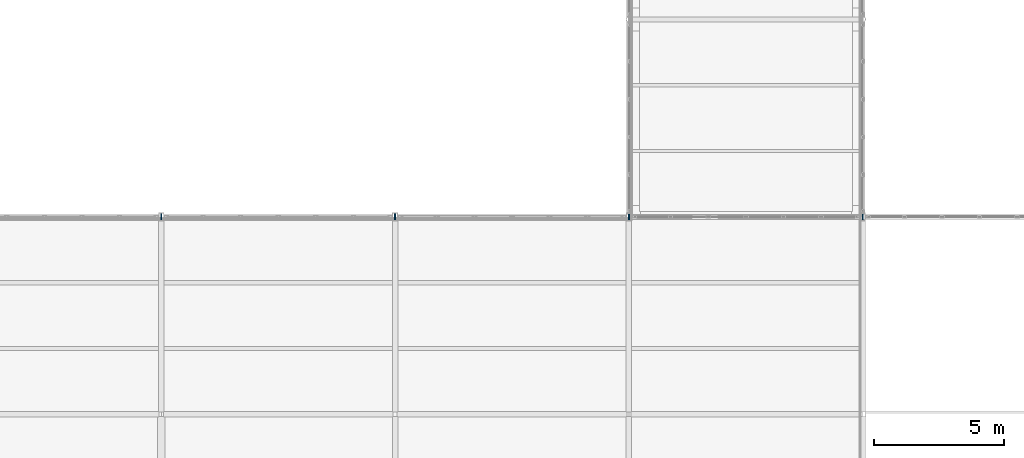
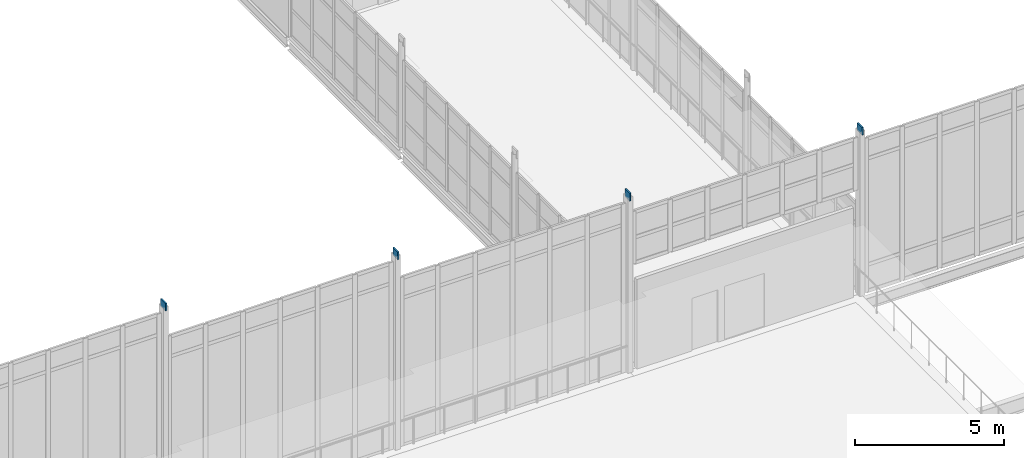
# One storey, part 142 of 166: 4 plates.
"""IFC4 building model written with IfcOpenShell, lengths in metres."""

import ifcopenshell
import ifcopenshell.guid

model = None  # the IFC model being written
_history = None  # IfcOwnerHistory: only IFC2X3 demands one
_inside = {}  # id of a spatial element -> (the spatial element, [elements in it])
_under = {}  # id of a project, library or spatial element -> (it, [spatial elements below it])
_declared = {}  # id of a project -> (the project, [libraries it declares])
_typed = {}  # id of a type object -> (the type object, [elements of that type])
_made_of = {}  # id of a material, layer set ... -> (it, [elements and type objects made of it])


def new_model(schema):
    """Start an empty IFC model of exactly this schema.

    Asked for "IFC4X3", IfcOpenShell would pick the latest addendum, in which some entities
    have other attributes; the version numbers below select the first issue.
    IFC2X3 requires an IfcOwnerHistory on every rooted entity: one is made here for all.
    """
    global model, _history
    if schema == "IFC4X3":
        model = ifcopenshell.file(schema_version=(4, 3, 0, 0))
    else:
        model = ifcopenshell.file(schema=schema)
    _inside.clear()
    _under.clear()
    _declared.clear()
    _typed.clear()
    _made_of.clear()
    _history = None
    if model.schema == "IFC2X3":
        org = make("IfcOrganization", Name="unknown")
        user = make(
            "IfcPersonAndOrganization",
            ThePerson=make("IfcPerson", FamilyName="unknown"),
            TheOrganization=org,
        )
        app = make(
            "IfcApplication",
            ApplicationDeveloper=org,
            Version="unknown",
            ApplicationFullName="unknown",
            ApplicationIdentifier="unknown",
        )
        _history = make(
            "IfcOwnerHistory",
            OwningUser=user,
            OwningApplication=app,
            ChangeAction="ADDED",
            CreationDate=0,
        )
    return model


def make(cls, **values):
    """One entity of the class cls with the attributes given. An attribute that is None is left unset."""
    return model.create_entity(
        cls, **{name: value for name, value in values.items() if value is not None}
    )


def rooted(cls, **values):
    """An entity with a GlobalId (a new one), such as an element, a storey or a relation."""
    return make(cls, GlobalId=ifcopenshell.guid.new(), OwnerHistory=_history, **values)


def si_unit(unit_type, name, prefix=None):
    """IfcSIUnit, for example si_unit("LENGTHUNIT", "METRE", prefix="MILLI")."""
    return make("IfcSIUnit", UnitType=unit_type, Prefix=prefix, Name=name)


def assignment(units):
    """IfcUnitAssignment: the units of a project."""
    return None if units is None else make("IfcUnitAssignment", Units=units)


def point(xyz):
    """IfcCartesianPoint."""
    return None if xyz is None else make("IfcCartesianPoint", Coordinates=xyz)


def direction(xyz):
    """IfcDirection."""
    return None if xyz is None else make("IfcDirection", DirectionRatios=xyz)


def frame(location, z_axis=None, x_axis=None):
    """IfcAxis2Placement3D, a coordinate frame: its origin and axes. An axis left out is left unset."""
    return make(
        "IfcAxis2Placement3D",
        Location=point(location),
        Axis=direction(z_axis),
        RefDirection=direction(x_axis),
    )


def frame_2d(location, x_axis=None):
    """IfcAxis2Placement2D, a coordinate frame in the plane: its origin and x axis."""
    return make(
        "IfcAxis2Placement2D", Location=point(location), RefDirection=direction(x_axis)
    )


def origin():
    """The frame at (0, 0, 0) with its axes left unset."""
    return frame((0.0, 0.0, 0.0))


def origin_2d():
    """The frame at (0, 0) in the plane with its x axis left unset."""
    return frame_2d((0.0, 0.0))


def place(relative_to, where):
    """IfcLocalPlacement: puts the frame where relative to a parent placement (None: the world)."""
    return make(
        "IfcLocalPlacement", PlacementRelTo=relative_to, RelativePlacement=where
    )


def context(
    kind, dimensions, precision=None, world=None, true_north=None, identifier=None
):
    """IfcGeometricRepresentationContext, for example the 3D "Model" context."""
    return make(
        "IfcGeometricRepresentationContext",
        ContextIdentifier=identifier,
        ContextType=kind,
        CoordinateSpaceDimension=dimensions,
        Precision=precision,
        WorldCoordinateSystem=world,
        TrueNorth=true_north,
    )


def subcontext(parent, identifier, kind, view, scale=None):
    """IfcGeometricRepresentationSubContext, for example "Body" below "Model"."""
    return make(
        "IfcGeometricRepresentationSubContext",
        ContextIdentifier=identifier,
        ContextType=kind,
        ParentContext=parent,
        TargetScale=scale,
        TargetView=view,
    )


def project(units=None, contexts=None):
    """IfcProject with its units and contexts."""
    return rooted(
        "IfcProject",
        Name="project",
        RepresentationContexts=contexts,
        UnitsInContext=assignment(units),
    )


def spatial(cls, under=None, at=None, **own):
    """A site, building, storey or space (cls), placed at a placement, below another one or the project."""
    s = rooted(cls, ObjectPlacement=at, **own)
    if under is not None:
        _under.setdefault(under.id(), (under, []))[1].append(s)
    return s


def profile(cls, at=None, kind="AREA", **sizes):
    """A parametric profile (cls). Its sizes go by their IFC names, for example OverallWidth=200.0."""
    return make(cls, ProfileType=kind, Position=at, **sizes)


def rectangle(**sizes):
    """IfcRectangleProfileDef."""
    return profile("IfcRectangleProfileDef", **sizes)


def extrude(swept, where, along, depth):
    """IfcExtrudedAreaSolid: the profile swept, set in the frame where, extruded along a direction by depth."""
    return make(
        "IfcExtrudedAreaSolid",
        SweptArea=swept,
        Position=where,
        ExtrudedDirection=direction(along),
        Depth=depth,
    )


def shape(context_of_items, identifier, shape_type, items):
    """IfcShapeRepresentation: the items that make up one representation, for example the "Body"."""
    return make(
        "IfcShapeRepresentation",
        ContextOfItems=context_of_items,
        RepresentationIdentifier=identifier,
        RepresentationType=shape_type,
        Items=items,
    )


def material(Name=None, Category=None):
    """IfcMaterial."""
    return make("IfcMaterial", Name=Name, Category=Category)


def layer(
    of_material, thickness, ventilated=None, Name=None, Category=None, Priority=None
):
    """IfcMaterialLayer: one layer of a wall or slab, of a material (None: an air gap)."""
    return make(
        "IfcMaterialLayer",
        Material=of_material,
        LayerThickness=thickness,
        IsVentilated=ventilated,
        Name=Name,
        Category=Category,
        Priority=Priority,
    )


def layer_set(layers, Name=None):
    """IfcMaterialLayerSet."""
    return make("IfcMaterialLayerSet", MaterialLayers=layers, LayerSetName=Name)


def made_of(thing, what):
    """Note that an element or type object is made of a material, layer set ...; save() writes the relation."""
    if what is not None:
        _made_of.setdefault(what.id(), (what, []))[1].append(thing)
    return thing


def type_object(cls, material=None, **own):
    """A type object (cls), such as IfcWallType, which elements share."""
    return made_of(rooted(cls, **own), material)


def element(
    cls,
    number,
    at=None,
    inside=None,
    cuts=None,
    type_object=None,
    material=None,
    context=None,
    identifier="Body",
    shape_type=None,
    held_by="IfcProductDefinitionShape",
    body=None,
    shapes=None,
    **own,
):
    """One element of the class cls, such as IfcWall. Its Tag is "e" and its number.

    at: its placement. inside: the storey or other place that contains it. cuts: it is an
    opening in that element (IfcRelVoidsElement). A single representation is given by context,
    identifier, shape_type and body (its items); several are given by shapes. held_by: the class
    of the entity that holds the representations. save() writes the other relations.
    """
    e = rooted(cls, Tag="e%d" % number, ObjectPlacement=at, **own)
    if body is not None:
        shapes = [shape(context, identifier, shape_type, body)]
    if shapes is not None:
        e.Representation = make(held_by, Representations=shapes)
    if inside is not None:
        _inside.setdefault(inside.id(), (inside, []))[1].append(e)
    if cuts is not None:
        rooted(
            "IfcRelVoidsElement", RelatingBuildingElement=cuts, RelatedOpeningElement=e
        )
    if type_object is not None:
        _typed.setdefault(type_object.id(), (type_object, []))[1].append(e)
    return made_of(e, material)


def aggregate(whole, parts):
    """IfcRelAggregates: a whole, such as a stair, and the parts it consists of."""
    return rooted("IfcRelAggregates", RelatingObject=whole, RelatedObjects=parts)


def save(model, path):
    """Write the relations noted so far, then the file.

    IfcRelAggregates (storeys below a building ...), IfcRelContainedInSpatialStructure (elements
    in a storey), IfcRelDefinesByType, IfcRelAssociatesMaterial and IfcRelDeclares: one each for
    every whole, place, type object, material and project.
    """
    for whole, parts in _under.values():
        aggregate(whole, parts)
    for where, things in _inside.values():
        rooted(
            "IfcRelContainedInSpatialStructure",
            RelatedElements=things,
            RelatingStructure=where,
        )
    for kind, things in _typed.values():
        rooted("IfcRelDefinesByType", RelatedObjects=things, RelatingType=kind)
    for what, things in _made_of.values():
        rooted("IfcRelAssociatesMaterial", RelatedObjects=things, RelatingMaterial=what)
    for by, libraries in _declared.values():
        rooted("IfcRelDeclares", RelatingContext=by, RelatedDefinitions=libraries)
    model.write(path)


model = new_model("IFC4")

# Units and contexts
model_context = context("Model", 3, precision=1e-05, world=origin(), true_north=direction((0.0, 1.0)))
body_context = subcontext(model_context, "Body", "Model", "MODEL_VIEW")
ifc_project = project(units=[si_unit("LENGTHUNIT", "METRE"), si_unit("AREAUNIT", "SQUARE_METRE"), si_unit("VOLUMEUNIT", "CUBIC_METRE"), si_unit("PLANEANGLEUNIT", "RADIAN"), si_unit("MASSUNIT", "GRAM", prefix="KILO")], contexts=[model_context])

# Site, building, storey
site_placement = place(None, origin())
site = spatial("IfcSite", under=ifc_project, at=site_placement, CompositionType="ELEMENT")
building_placement = place(site_placement, origin())
building = spatial("IfcBuilding", under=site, at=building_placement, Name="Caisbarro Railhouse Central Library", CompositionType="ELEMENT")
storey_placement = place(building_placement, frame((0.0, 0.0, 9.360107421875)))
storey = spatial("IfcBuildingStorey", under=building, at=storey_placement, Name="L02", CompositionType="ELEMENT", Elevation=9.360107421875)

# Plates
ifc_material = material(Name="Steel ASTM A572 Grade 50", Category="steel")
ifc_layer = layer(ifc_material, 0.054931640625, Name="Steel ASTM A572 Grade 50")
ifc_layer_set = layer_set([ifc_layer], Name="Steel ASTM A572 Grade 50")
plate_type = type_object("IfcPlateType", Name="PLT-EP02", PredefinedType="SHEET", material=ifc_layer_set)
for number, where, z_axis, x_axis, name in (
    (1, (36.0, 60.800048828125, 8.841796875), (0.0, 0.0, 1.0), (1.0, 0.0, 0.0), "EP02 end cap plate"),
    (2, (45.0, 60.800048828125, 7.7919921875), (0.0, 0.0, 1.0), (1.0, 0.0, 0.0), "EP02 end cap plate"),
    (3, (54.0, 60.800048828125, 7.0419921875), (0.0, 0.0, 1.0), (1.0, 0.0, 0.0), "EP02 end cap plate"),
    (4, (63.0, 60.800048828125, 6.591796875), (0.0, 0.0, 1.0), (1.0, 0.0, 0.0), "EP02 end cap plate"),
):
    element("IfcPlate", number, at=place(storey_placement, frame(where, z_axis=z_axis, x_axis=x_axis)), inside=storey, type_object=plate_type, Name=name, PredefinedType="SHEET", context=body_context, shape_type="SweptSolid", body=[
        extrude(rectangle(XDim=0.054931640625, YDim=0.320068359375, at=origin_2d()), origin(), (0.0, 0.0, 1.0), 0.320068359375),
    ])

save(model, "model.ifc")
